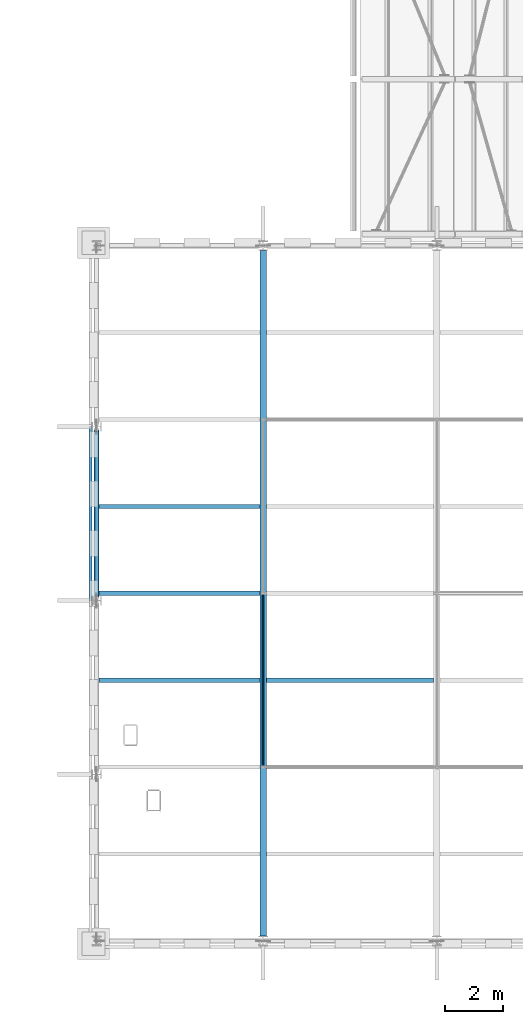
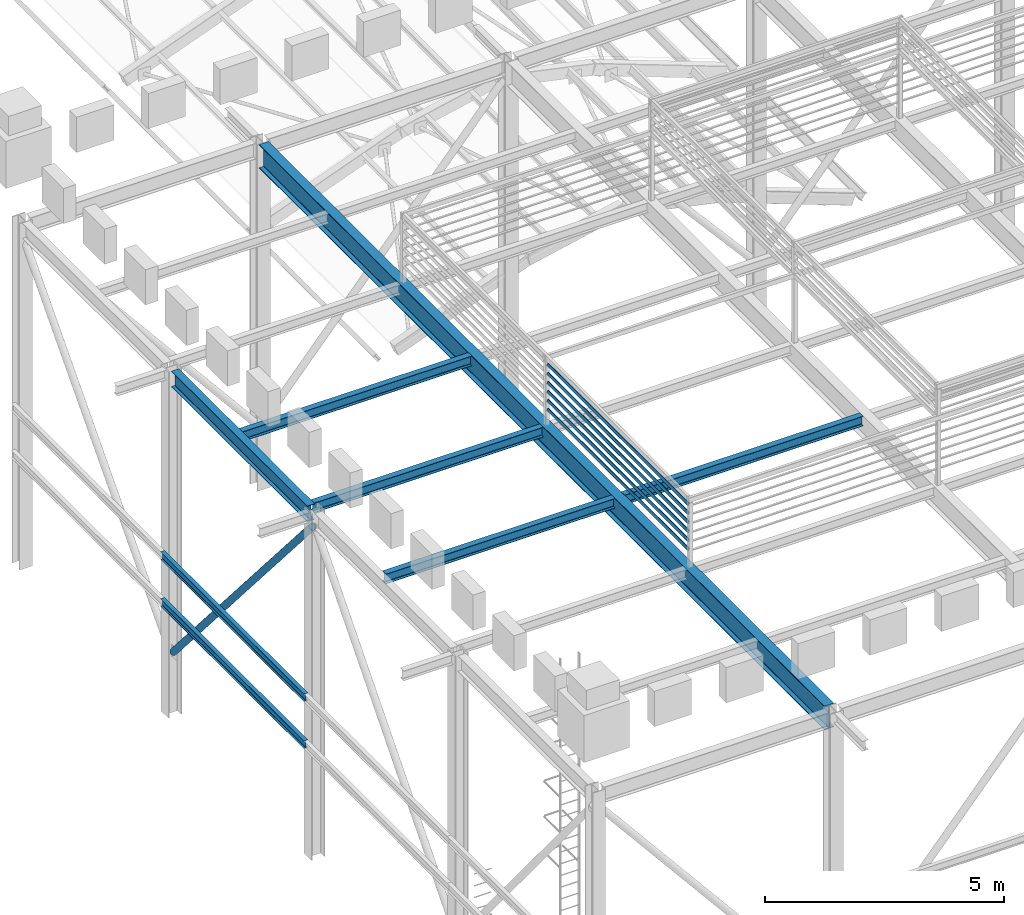
# One storey, part 4 of 57: 8 beams, 7 members.
"""IFC4 building model written with IfcOpenShell, lengths in metres."""

import ifcopenshell
import ifcopenshell.guid

model = None  # the IFC model being written
_history = None  # IfcOwnerHistory: only IFC2X3 demands one
_inside = {}  # id of a spatial element -> (the spatial element, [elements in it])
_under = {}  # id of a project, library or spatial element -> (it, [spatial elements below it])
_declared = {}  # id of a project -> (the project, [libraries it declares])
_typed = {}  # id of a type object -> (the type object, [elements of that type])
_made_of = {}  # id of a material, layer set ... -> (it, [elements and type objects made of it])


def new_model(schema):
    """Start an empty IFC model of exactly this schema.

    Asked for "IFC4X3", IfcOpenShell would pick the latest addendum, in which some entities
    have other attributes; the version numbers below select the first issue.
    IFC2X3 requires an IfcOwnerHistory on every rooted entity: one is made here for all.
    """
    global model, _history
    if schema == "IFC4X3":
        model = ifcopenshell.file(schema_version=(4, 3, 0, 0))
    else:
        model = ifcopenshell.file(schema=schema)
    _inside.clear()
    _under.clear()
    _declared.clear()
    _typed.clear()
    _made_of.clear()
    _history = None
    if model.schema == "IFC2X3":
        org = make("IfcOrganization", Name="unknown")
        user = make(
            "IfcPersonAndOrganization",
            ThePerson=make("IfcPerson", FamilyName="unknown"),
            TheOrganization=org,
        )
        app = make(
            "IfcApplication",
            ApplicationDeveloper=org,
            Version="unknown",
            ApplicationFullName="unknown",
            ApplicationIdentifier="unknown",
        )
        _history = make(
            "IfcOwnerHistory",
            OwningUser=user,
            OwningApplication=app,
            ChangeAction="ADDED",
            CreationDate=0,
        )
    return model


def make(cls, **values):
    """One entity of the class cls with the attributes given. An attribute that is None is left unset."""
    return model.create_entity(
        cls, **{name: value for name, value in values.items() if value is not None}
    )


def rooted(cls, **values):
    """An entity with a GlobalId (a new one), such as an element, a storey or a relation."""
    return make(cls, GlobalId=ifcopenshell.guid.new(), OwnerHistory=_history, **values)


def si_unit(unit_type, name, prefix=None):
    """IfcSIUnit, for example si_unit("LENGTHUNIT", "METRE", prefix="MILLI")."""
    return make("IfcSIUnit", UnitType=unit_type, Prefix=prefix, Name=name)


def assignment(units):
    """IfcUnitAssignment: the units of a project."""
    return None if units is None else make("IfcUnitAssignment", Units=units)


def point(xyz):
    """IfcCartesianPoint."""
    return None if xyz is None else make("IfcCartesianPoint", Coordinates=xyz)


def direction(xyz):
    """IfcDirection."""
    return None if xyz is None else make("IfcDirection", DirectionRatios=xyz)


def frame(location, z_axis=None, x_axis=None):
    """IfcAxis2Placement3D, a coordinate frame: its origin and axes. An axis left out is left unset."""
    return make(
        "IfcAxis2Placement3D",
        Location=point(location),
        Axis=direction(z_axis),
        RefDirection=direction(x_axis),
    )


def frame_2d(location, x_axis=None):
    """IfcAxis2Placement2D, a coordinate frame in the plane: its origin and x axis."""
    return make(
        "IfcAxis2Placement2D", Location=point(location), RefDirection=direction(x_axis)
    )


def origin():
    """The frame at (0, 0, 0) with its axes left unset."""
    return frame((0.0, 0.0, 0.0))


def origin_2d():
    """The frame at (0, 0) in the plane with its x axis left unset."""
    return frame_2d((0.0, 0.0))


def place(relative_to, where):
    """IfcLocalPlacement: puts the frame where relative to a parent placement (None: the world)."""
    return make(
        "IfcLocalPlacement", PlacementRelTo=relative_to, RelativePlacement=where
    )


def context(
    kind, dimensions, precision=None, world=None, true_north=None, identifier=None
):
    """IfcGeometricRepresentationContext, for example the 3D "Model" context."""
    return make(
        "IfcGeometricRepresentationContext",
        ContextIdentifier=identifier,
        ContextType=kind,
        CoordinateSpaceDimension=dimensions,
        Precision=precision,
        WorldCoordinateSystem=world,
        TrueNorth=true_north,
    )


def subcontext(parent, identifier, kind, view, scale=None):
    """IfcGeometricRepresentationSubContext, for example "Body" below "Model"."""
    return make(
        "IfcGeometricRepresentationSubContext",
        ContextIdentifier=identifier,
        ContextType=kind,
        ParentContext=parent,
        TargetScale=scale,
        TargetView=view,
    )


def project(units=None, contexts=None):
    """IfcProject with its units and contexts."""
    return rooted(
        "IfcProject",
        Name="project",
        RepresentationContexts=contexts,
        UnitsInContext=assignment(units),
    )


def spatial(cls, under=None, at=None, **own):
    """A site, building, storey or space (cls), placed at a placement, below another one or the project."""
    s = rooted(cls, ObjectPlacement=at, **own)
    if under is not None:
        _under.setdefault(under.id(), (under, []))[1].append(s)
    return s


def profile(cls, at=None, kind="AREA", **sizes):
    """A parametric profile (cls). Its sizes go by their IFC names, for example OverallWidth=200.0."""
    return make(cls, ProfileType=kind, Position=at, **sizes)


def hollow_rectangle(**sizes):
    """IfcRectangleHollowProfileDef."""
    return profile("IfcRectangleHollowProfileDef", **sizes)


def hollow_circle(**sizes):
    """IfcCircleHollowProfileDef."""
    return profile("IfcCircleHollowProfileDef", **sizes)


def i_section(**sizes):
    """IfcIShapeProfileDef."""
    return profile("IfcIShapeProfileDef", **sizes)


def extrude(swept, where, along, depth):
    """IfcExtrudedAreaSolid: the profile swept, set in the frame where, extruded along a direction by depth."""
    return make(
        "IfcExtrudedAreaSolid",
        SweptArea=swept,
        Position=where,
        ExtrudedDirection=direction(along),
        Depth=depth,
    )


def shape(context_of_items, identifier, shape_type, items):
    """IfcShapeRepresentation: the items that make up one representation, for example the "Body"."""
    return make(
        "IfcShapeRepresentation",
        ContextOfItems=context_of_items,
        RepresentationIdentifier=identifier,
        RepresentationType=shape_type,
        Items=items,
    )


def material(Name=None, Category=None):
    """IfcMaterial."""
    return make("IfcMaterial", Name=Name, Category=Category)


def material_profile(
    of_material, cross_section, Name=None, Category=None, Priority=None
):
    """IfcMaterialProfile: a cross section and its material."""
    return make(
        "IfcMaterialProfile",
        Name=Name,
        Material=of_material,
        Profile=cross_section,
        Priority=Priority,
        Category=Category,
    )


def profile_set(profiles, Name=None, composite=None):
    """IfcMaterialProfileSet."""
    return make(
        "IfcMaterialProfileSet",
        Name=Name,
        MaterialProfiles=profiles,
        CompositeProfile=composite,
    )


def made_of(thing, what):
    """Note that an element or type object is made of a material, layer set ...; save() writes the relation."""
    if what is not None:
        _made_of.setdefault(what.id(), (what, []))[1].append(thing)
    return thing


def type_object(cls, material=None, **own):
    """A type object (cls), such as IfcWallType, which elements share."""
    return made_of(rooted(cls, **own), material)


def element(
    cls,
    number,
    at=None,
    inside=None,
    cuts=None,
    type_object=None,
    material=None,
    context=None,
    identifier="Body",
    shape_type=None,
    held_by="IfcProductDefinitionShape",
    body=None,
    shapes=None,
    **own,
):
    """One element of the class cls, such as IfcWall. Its Tag is "e" and its number.

    at: its placement. inside: the storey or other place that contains it. cuts: it is an
    opening in that element (IfcRelVoidsElement). A single representation is given by context,
    identifier, shape_type and body (its items); several are given by shapes. held_by: the class
    of the entity that holds the representations. save() writes the other relations.
    """
    e = rooted(cls, Tag="e%d" % number, ObjectPlacement=at, **own)
    if body is not None:
        shapes = [shape(context, identifier, shape_type, body)]
    if shapes is not None:
        e.Representation = make(held_by, Representations=shapes)
    if inside is not None:
        _inside.setdefault(inside.id(), (inside, []))[1].append(e)
    if cuts is not None:
        rooted(
            "IfcRelVoidsElement", RelatingBuildingElement=cuts, RelatedOpeningElement=e
        )
    if type_object is not None:
        _typed.setdefault(type_object.id(), (type_object, []))[1].append(e)
    return made_of(e, material)


def aggregate(whole, parts):
    """IfcRelAggregates: a whole, such as a stair, and the parts it consists of."""
    return rooted("IfcRelAggregates", RelatingObject=whole, RelatedObjects=parts)


def save(model, path):
    """Write the relations noted so far, then the file.

    IfcRelAggregates (storeys below a building ...), IfcRelContainedInSpatialStructure (elements
    in a storey), IfcRelDefinesByType, IfcRelAssociatesMaterial and IfcRelDeclares: one each for
    every whole, place, type object, material and project.
    """
    for whole, parts in _under.values():
        aggregate(whole, parts)
    for where, things in _inside.values():
        rooted(
            "IfcRelContainedInSpatialStructure",
            RelatedElements=things,
            RelatingStructure=where,
        )
    for kind, things in _typed.values():
        rooted("IfcRelDefinesByType", RelatedObjects=things, RelatingType=kind)
    for what, things in _made_of.values():
        rooted("IfcRelAssociatesMaterial", RelatedObjects=things, RelatingMaterial=what)
    for by, libraries in _declared.values():
        rooted("IfcRelDeclares", RelatingContext=by, RelatedDefinitions=libraries)
    model.write(path)


model = new_model("IFC4")

# Units and contexts
model_context = context("Model", 3, precision=1e-05, world=origin(), true_north=direction((0.0, 1.0)))
body_context = subcontext(model_context, "Body", "Model", "MODEL_VIEW")
ifc_project = project(units=[si_unit("LENGTHUNIT", "METRE"), si_unit("AREAUNIT", "SQUARE_METRE"), si_unit("VOLUMEUNIT", "CUBIC_METRE"), si_unit("PLANEANGLEUNIT", "RADIAN"), si_unit("MASSUNIT", "GRAM", prefix="KILO")], contexts=[model_context])

# Site, building, storey
site_placement = place(None, origin())
site = spatial("IfcSite", under=ifc_project, at=site_placement, CompositionType="ELEMENT")
building_placement = place(site_placement, origin())
building = spatial("IfcBuilding", under=site, at=building_placement, Name="Saffron Lane Theatres", CompositionType="ELEMENT")
storey_placement = place(building_placement, frame((0.0, 0.0, 28.0)))
storey = spatial("IfcBuildingStorey", under=building, at=storey_placement, Name="Upper Roof", CompositionType="ELEMENT", Elevation=28.0)

# Members
ifc_material_1 = material(Name="Steel Grade 350", Category="steel")
ifc_material_profile_1 = material_profile(ifc_material_1, hollow_rectangle(XDim=0.034912109375, YDim=0.06494140625, WallThickness=0.0029296875, InnerFilletRadius=0.00146484375, OuterFilletRadius=0.00439453125, at=origin_2d()))
ifc_profile_set_1 = profile_set([ifc_material_profile_1], Name="Steel Grade 350")
member_type_1 = type_object("IfcMemberType", Name="ST-LOUVRE SLAT 65x35x3 RHS", PredefinedType="MEMBER", material=ifc_profile_set_1)
for number, where, z_axis, x_axis, name in (
    (1, (24.0, 36.300048828125, 9.25), (0.0, 1.0, 0.0), (-0.819152044289, 0.0, 0.573576436351), "LV7"),
    (2, (24.0, 36.300048828125, 9.47998046875), (0.0, 1.0, 0.0), (-0.819152044289, 0.0, 0.573576436351), "LV17"),
    (3, (24.0, 36.300048828125, 9.7099609375), (0.0, 1.0, 0.0), (-0.819152044289, 0.0, 0.573576436351), "LV27"),
    (4, (24.0, 36.300048828125, 9.93994140625), (0.0, 1.0, 0.0), (-0.819152044289, 0.0, 0.573576436351), "LV37"),
    (5, (24.0, 36.300048828125, 10.169921875), (0.0, 1.0, 0.0), (-0.819152044289, 0.0, 0.573576436351), "LV47"),
    (6, (24.0, 36.300048828125, 10.39990234375), (0.0, 1.0, 0.0), (-0.819152044289, 0.0, 0.573576436351), "LV57"),
):
    element("IfcMember", number, at=place(storey_placement, frame(where, z_axis=z_axis, x_axis=x_axis)), inside=storey, type_object=member_type_1, Name=name, PredefinedType="MEMBER", context=body_context, shape_type="SweptSolid", body=[
        extrude(hollow_rectangle(XDim=0.034912109375, YDim=0.06494140625, WallThickness=0.0029296875, InnerFilletRadius=0.00146484375, OuterFilletRadius=0.00439453125, at=origin_2d()), origin(), (0.0, 0.0, 1.0), 5.89990234375),
    ])

# Beams
ifc_material_2 = material(Name="Steel Grade 350", Category="steel")
ifc_material_profile_2 = material_profile(ifc_material_2, i_section(OverallWidth=0.177978515625, OverallDepth=0.406005859375, WebThickness=0.0078125, FlangeThickness=0.0126953125, FilletRadius=0.010986328125, at=origin_2d()))
ifc_profile_set_2 = profile_set([ifc_material_profile_2], Name="Steel Grade 350")
beam_type_1 = type_object("IfcBeamType", Name="ST-ROOF GIRDER 410UB59.7", PredefinedType="BEAM", material=ifc_profile_set_2)
beam_1_placement = place(storey_placement, frame((18.25, 42.155517578125, 8.64697265625), z_axis=(0.0, 1.0, 0.0), x_axis=(-1.0, 0.0, 0.0)))
element("IfcBeam", 7, at=beam_1_placement, inside=storey, type_object=beam_type_1, Name="TR13", PredefinedType="BEAM", context=body_context, shape_type="SweptSolid", body=[
    extrude(i_section(OverallWidth=0.177978515625, OverallDepth=0.406005859375, WebThickness=0.0078125, FlangeThickness=0.0126953125, FilletRadius=0.010986328125, at=origin_2d()), origin(), (0.0, 0.0, 1.0), 5.68896484375),
])
ifc_material_3 = material(Name="Steel Grade 350", Category="steel")
ifc_material_profile_3 = material_profile(ifc_material_3, i_section(OverallWidth=0.14599609375, OverallDepth=0.251953125, WebThickness=0.006103515625, FlangeThickness=0.008544921875, FilletRadius=0.011962890625, at=origin_2d()))
ifc_profile_set_3 = profile_set([ifc_material_profile_3], Name="Steel Grade 350")
beam_type_2 = type_object("IfcBeamType", Name="ST-ROOF JOIST 250UB31.4", PredefinedType="JOIST", material=ifc_profile_set_3)
beam_2_placement = place(storey_placement, frame((18.339111328125, 39.25, 8.72412109375), z_axis=(1.0, 0.0, 0.0), x_axis=(0.0, 1.0, 0.0)))
element("IfcBeam", 8, at=beam_2_placement, inside=storey, type_object=beam_type_2, Name="TT11", PredefinedType="JOIST", context=body_context, shape_type="SweptSolid", body=[
    extrude(i_section(OverallWidth=0.14599609375, OverallDepth=0.251953125, WebThickness=0.006103515625, FlangeThickness=0.008544921875, FilletRadius=0.011962890625, at=origin_2d()), origin(), (0.0, 0.0, 1.0), 5.546875),
])
beam_3_placement = place(storey_placement, frame((24.114013671875, 39.25, 8.72412109375), z_axis=(1.0, 0.0, 0.0), x_axis=(0.0, 1.0, 0.0)))
element("IfcBeam", 9, at=beam_3_placement, inside=storey, type_object=beam_type_2, Name="TT12", PredefinedType="JOIST", context=body_context, shape_type="SweptSolid", body=[
    extrude(i_section(OverallWidth=0.14599609375, OverallDepth=0.251953125, WebThickness=0.006103515625, FlangeThickness=0.008544921875, FilletRadius=0.011962890625, at=origin_2d()), origin(), (0.0, 0.0, 1.0), 5.77197265625),
])
for number, where, z_axis, x_axis, name in (
    (10, (18.339111328125, 42.25, 8.72412109375), (1.0, 0.0, 0.0), (0.0, 1.0, 0.0), "TT16"),
    (11, (18.339111328125, 45.25, 8.72412109375), (1.0, 0.0, 0.0), (0.0, 1.0, 0.0), "TT21"),
):
    element("IfcBeam", number, at=place(storey_placement, frame(where, z_axis=z_axis, x_axis=x_axis)), inside=storey, type_object=beam_type_2, Name=name, PredefinedType="JOIST", context=body_context, shape_type="SweptSolid", body=[
        extrude(i_section(OverallWidth=0.14599609375, OverallDepth=0.251953125, WebThickness=0.006103515625, FlangeThickness=0.008544921875, FilletRadius=0.011962890625, at=origin_2d()), origin(), (0.0, 0.0, 1.0), 5.546875),
    ])
ifc_material_4 = material(Name="Steel Grade 350", Category="steel")
ifc_material_profile_4 = material_profile(ifc_material_4, i_section(OverallWidth=0.22802734375, OverallDepth=0.60693359375, WebThickness=0.01123046875, FlangeThickness=0.017333984375, FilletRadius=0.013916015625, at=origin_2d()))
ifc_profile_set_4 = profile_set([ifc_material_profile_4], Name="Steel Grade 350")
beam_type_3 = type_object("IfcBeamType", Name="ST-ROOF PRIMARY 610UB113", PredefinedType="BEAM", material=ifc_profile_set_4)
beam_4_placement = place(storey_placement, frame((24.0, 30.41357421875, 8.54638671875), z_axis=(0.0, 1.0, 0.0), x_axis=(-1.0, 0.0, 0.0)))
element("IfcBeam", 12, at=beam_4_placement, inside=storey, type_object=beam_type_3, Name="TS1", PredefinedType="BEAM", context=body_context, shape_type="SweptSolid", body=[
    extrude(i_section(OverallWidth=0.22802734375, OverallDepth=0.60693359375, WebThickness=0.01123046875, FlangeThickness=0.017333984375, FilletRadius=0.013916015625, at=origin_2d()), origin(), (0.0, 0.0, 1.0), 23.6728515625),
])

# Member
ifc_material_5 = material(Name="Steel Grade 350", Category="steel")
ifc_material_profile_5 = material_profile(ifc_material_5, hollow_circle(Radius=0.084228515625, WallThickness=0.00634765625, at=origin_2d()))
ifc_profile_set_5 = profile_set([ifc_material_profile_5], Name="Steel Grade 350")
member_type_2 = type_object("IfcMemberType", Name="ST-TOWER BRACE HI 168.3x6.4 CHS", PredefinedType="BRACE", material=ifc_profile_set_5)
member_placement = place(storey_placement, frame((18.25, 47.908447265625, 1.60595703125), z_axis=(0.0, -0.653796315822, 0.756670587123), x_axis=(1.0, 0.0, 0.0)))
element("IfcMember", 13, at=member_placement, inside=storey, type_object=member_type_2, Name="TB26", PredefinedType="BRACE", context=body_context, shape_type="SweptSolid", body=[
    extrude(hollow_circle(Radius=0.084228515625, WallThickness=0.00634765625, at=origin_2d()), origin(), (0.0, 0.0, 1.0), 8.897216796875),
])

# Beams
ifc_material_6 = material(Name="Steel Grade 350", Category="steel")
ifc_material_profile_6 = material_profile(ifc_material_6, i_section(OverallWidth=0.09912109375, OverallDepth=0.197998046875, WebThickness=0.00439453125, FlangeThickness=0.007080078125, FilletRadius=0.010986328125, at=origin_2d()))
ifc_profile_set_6 = profile_set([ifc_material_profile_6], Name="Steel Grade 350")
beam_type_4 = type_object("IfcBeamType", Name="ST-TOWER GIRT 200UB18.2", PredefinedType="BEAM", material=ifc_profile_set_6)
for number, where, z_axis, x_axis, name in (
    (14, (18.037109375, 42.0, 2.90087890625), (0.0, 1.0, 0.0), (-1.0, 0.0, 0.0), "TX40"),
    (15, (18.037109375, 42.0, 4.10107421875), (0.0, 1.0, 0.0), (-1.0, 0.0, 0.0), "TX44"),
):
    element("IfcBeam", number, at=place(storey_placement, frame(where, z_axis=z_axis, x_axis=x_axis)), inside=storey, type_object=beam_type_4, Name=name, PredefinedType="BEAM", context=body_context, shape_type="SweptSolid", body=[
        extrude(i_section(OverallWidth=0.09912109375, OverallDepth=0.197998046875, WebThickness=0.00439453125, FlangeThickness=0.007080078125, FilletRadius=0.010986328125, at=origin_2d()), origin(), (0.0, 0.0, 1.0), 6.0),
    ])

save(model, "model.ifc")
